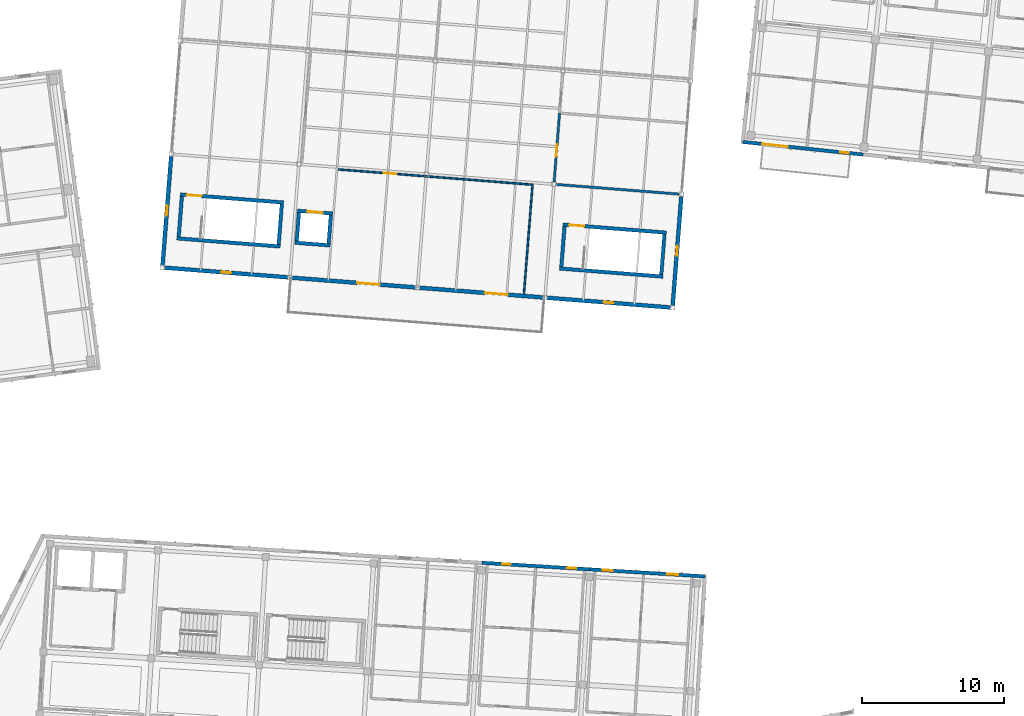
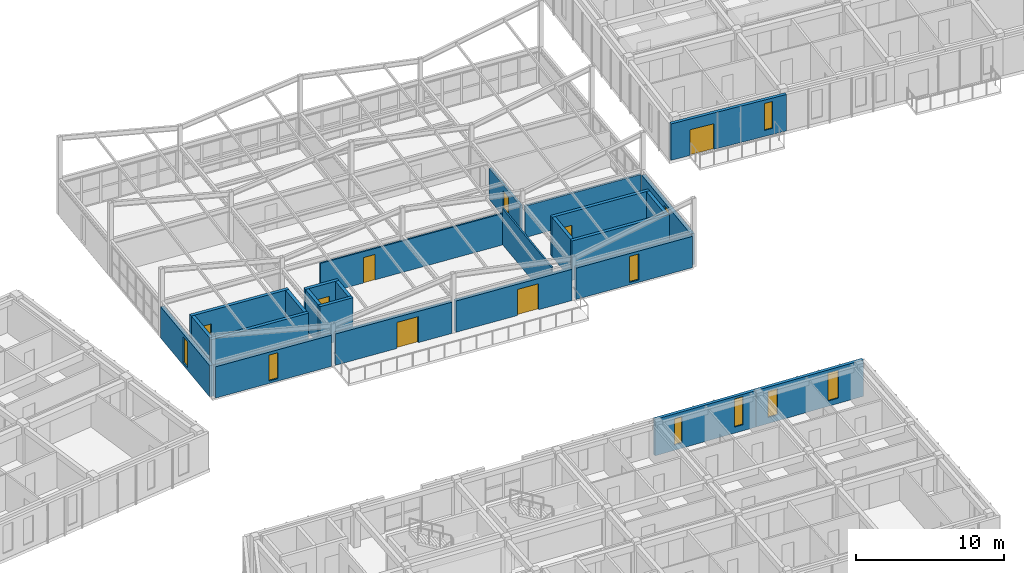
# One storey, part 84 of 127: 25 walls, 9 windows, 8 doors, 17 openings.
"""IFC4 building model written with IfcOpenShell, lengths in metres."""

from ifc_helpers import new_model, si_unit, direction, frame, frame_2d, origin, place, context, subcontext, project, spatial, rectangle, extrude, material, layer, layer_set, type_object, element, fill, save


model = new_model("IFC4")

# Units and contexts
model_context = context("Model", 3, precision=1e-05, world=origin(), true_north=direction((0.0, 1.0)))
body_context = subcontext(model_context, "Body", "Model", "MODEL_VIEW")
ifc_project = project(units=[si_unit("LENGTHUNIT", "METRE"), si_unit("AREAUNIT", "SQUARE_METRE"), si_unit("VOLUMEUNIT", "CUBIC_METRE"), si_unit("PLANEANGLEUNIT", "RADIAN"), si_unit("MASSUNIT", "GRAM", prefix="KILO")], contexts=[model_context])

# Site, building, storey
site_placement = place(None, origin())
site = spatial("IfcSite", under=ifc_project, at=site_placement, CompositionType="ELEMENT")
building_placement = place(site_placement, origin())
building = spatial("IfcBuilding", under=site, at=building_placement, Name="Kestramere Prow Commons", CompositionType="ELEMENT")
storey_placement = place(building_placement, frame((0.0, 0.0, 8.39990234375)))
storey = spatial("IfcBuildingStorey", under=building, at=storey_placement, Name="L02", CompositionType="ELEMENT", Elevation=8.39990234375)

# Wall, opening, window
ifc_material_1 = material(Name="Precast concrete C40/50", Category="concrete")
ifc_layer_1 = layer(ifc_material_1, 0.280029296875)
ifc_layer_set_1 = layer_set([ifc_layer_1], Name="Precast concrete C40/50")
wall_type_1 = type_object("IfcWallType", Name="EW-CIVIC-280", PredefinedType="SOLIDWALL", material=ifc_layer_set_1)
wall_1_placement = place(storey_placement, frame((77.422607421875, 84.8056640625, 0.0), z_axis=(0.0, 0.0, 1.0), x_axis=(-0.996917066238, 0.078462494502, 0.0)))
wall_1 = element("IfcWall", 1, at=wall_1_placement, inside=storey, type_object=wall_type_1, Name="Nursery L02 South Wall 1", PredefinedType="SOLIDWALL", context=body_context, shape_type="SweptSolid", body=[
    extrude(rectangle(XDim=8.699951171875, YDim=0.280029296875, at=frame_2d((4.35009765625, 0.0))), origin(), (0.0, 0.0, 1.0), 2.580078125),
])
opening_1_placement = place(wall_1_placement, frame((4.0, 0.0, 0.199951171875)))
opening_1 = element("IfcOpeningElement", 2, at=opening_1_placement, cuts=wall_1, Name="Opening WN-16", PredefinedType="OPENING", context=body_context, shape_type="SweptSolid", body=[
    extrude(rectangle(XDim=0.699951171875, YDim=2.139892578125, at=frame_2d((0.35009765625, 1.06982421875))), frame((0.0, 0.155029296875, 0.0), z_axis=(0.0, -1.0, 0.0), x_axis=(1.0, 0.0, 0.0)), (0.0, 0.0, 1.0), 0.31005859375),
])
ifc_material_2 = material(Name="Low-E Laminated Double Glazing", Category="glass")
window_type_1 = type_object("IfcWindowType", Name="WN-CIV-700", PartitioningType="SINGLE_PANEL", PredefinedType="WINDOW", material=ifc_material_2)
window_1_placement = place(opening_1_placement, origin())
window_1 = element("IfcWindow", 3, at=window_1_placement, inside=storey, type_object=window_type_1, Name="WN-NR-L02-S-0", OverallHeight=2.139892578125, OverallWidth=0.699951171875, PartitioningType="SINGLE_PANEL", PredefinedType="WINDOW", context=body_context, shape_type="SweptSolid", body=[
    extrude(rectangle(XDim=0.699951171875, YDim=2.139892578125, at=frame_2d((0.35009765625, 1.06982421875))), frame((0.0, 0.030029296875, 0.0), z_axis=(0.0, -1.0, 0.0), x_axis=(1.0, 0.0, 0.0)), (0.0, 0.0, 1.0), 0.06005859375),
])
fill(opening_1, window_1)

# Wall, opening, door
wall_2_placement = place(storey_placement, frame((86.39501953125, 84.099609375, 0.0), z_axis=(0.0, 0.0, 1.0), x_axis=(-0.996919433544, 0.078432410537, 0.0)))
wall_2 = element("IfcWall", 4, at=wall_2_placement, inside=storey, type_object=wall_type_1, Name="Nursery L02 South Wall 2", PredefinedType="SOLIDWALL", context=body_context, shape_type="SweptSolid", body=[
    extrude(rectangle(XDim=8.7001953125, YDim=0.280029296875, at=frame_2d((4.35009765625, 0.0))), origin(), (0.0, 0.0, 1.0), 2.580078125),
])
opening_2_placement = place(wall_2_placement, frame((2.5, 0.0, 0.0)))
opening_2 = element("IfcOpeningElement", 5, at=opening_2_placement, cuts=wall_2, Name="Opening GD-TER-01", PredefinedType="OPENING", context=body_context, shape_type="SweptSolid", body=[
    extrude(rectangle(XDim=1.60009765625, YDim=2.14990234375, at=frame_2d((0.800048828125, 1.074951171875))), frame((0.0, 0.155029296875, 0.0), z_axis=(0.0, -1.0, 0.0), x_axis=(1.0, 0.0, 0.0)), (0.0, 0.0, 1.0), 0.31005859375),
])
ifc_material_3 = material(Name="Thermally-Broken Anodised Aluminium Glazed", Category="aluminium")
door_type_1 = type_object("IfcDoorType", Name="GD-TERR-1600", OperationType="DOUBLE_DOOR_SINGLE_SWING", PredefinedType="DOOR", material=ifc_material_3)
door_1_placement = place(opening_2_placement, origin())
door_1 = element("IfcDoor", 6, at=door_1_placement, inside=storey, type_object=door_type_1, Name="Nursery Play Terrace Door 1", OperationType="DOUBLE_DOOR_SINGLE_SWING", OverallHeight=2.14990234375, OverallWidth=1.60009765625, PredefinedType="DOOR", context=body_context, shape_type="SweptSolid", body=[
    extrude(rectangle(XDim=1.60009765625, YDim=2.14990234375, at=frame_2d((0.800048828125, 1.074951171875))), frame((0.0, 0.02490234375, 0.0), z_axis=(0.0, -1.0, 0.0), x_axis=(1.0, 0.0, 0.0)), (0.0, 0.0, 1.0), 0.050048828125),
])
fill(opening_2, door_1)

wall_3_placement = place(storey_placement, frame((95.3671875, 83.393310546875, 0.0), z_axis=(0.0, 0.0, 1.0), x_axis=(-0.996917066238, 0.078462494502, 0.0)))
wall_3 = element("IfcWall", 7, at=wall_3_placement, inside=storey, type_object=wall_type_1, Name="Nursery L02 South Wall 3", PredefinedType="SOLIDWALL", context=body_context, shape_type="SweptSolid", body=[
    extrude(rectangle(XDim=8.699951171875, YDim=0.280029296875, at=frame_2d((4.35009765625, 0.0))), origin(), (0.0, 0.0, 1.0), 2.580078125),
])
opening_3_placement = place(wall_3_placement, frame((2.5, 0.0, 0.0)))
opening_3 = element("IfcOpeningElement", 8, at=opening_3_placement, cuts=wall_3, Name="Opening GD-TER-01", PredefinedType="OPENING", context=body_context, shape_type="SweptSolid", body=[
    extrude(rectangle(XDim=1.60009765625, YDim=2.14990234375, at=frame_2d((0.800048828125, 1.074951171875))), frame((0.0, 0.155029296875, 0.0), z_axis=(0.0, -1.0, 0.0), x_axis=(1.0, 0.0, 0.0)), (0.0, 0.0, 1.0), 0.31005859375),
])
door_2_placement = place(opening_3_placement, origin())
door_2 = element("IfcDoor", 9, at=door_2_placement, inside=storey, type_object=door_type_1, Name="Nursery Play Terrace Door 2", OperationType="DOUBLE_DOOR_SINGLE_SWING", OverallHeight=2.14990234375, OverallWidth=1.60009765625, PredefinedType="DOOR", context=body_context, shape_type="SweptSolid", body=[
    extrude(rectangle(XDim=1.60009765625, YDim=2.14990234375, at=frame_2d((0.800048828125, 1.074951171875))), frame((0.0, 0.02490234375, 0.0), z_axis=(0.0, -1.0, 0.0), x_axis=(1.0, 0.0, 0.0)), (0.0, 0.0, 1.0), 0.050048828125),
])
fill(opening_3, door_2)

# Wall, opening, window
wall_4_placement = place(storey_placement, frame((104.339599609375, 82.687255859375, 0.0), z_axis=(0.0, 0.0, 1.0), x_axis=(-0.996917238993, 0.078460299505, 0.0)))
wall_4 = element("IfcWall", 10, at=wall_4_placement, inside=storey, type_object=wall_type_1, Name="Nursery L02 South Wall 4", PredefinedType="SOLIDWALL", context=body_context, shape_type="SweptSolid", body=[
    extrude(rectangle(XDim=8.7001953125, YDim=0.280029296875, at=frame_2d((4.35009765625, 0.0))), origin(), (0.0, 0.0, 1.0), 2.580078125),
])
opening_4_placement = place(wall_4_placement, frame((4.0, 0.0, 0.199951171875)))
opening_4 = element("IfcOpeningElement", 11, at=opening_4_placement, cuts=wall_4, Name="Opening WN-16", PredefinedType="OPENING", context=body_context, shape_type="SweptSolid", body=[
    extrude(rectangle(XDim=0.699951171875, YDim=2.139892578125, at=frame_2d((0.35009765625, 1.06982421875))), frame((0.0, 0.155029296875, 0.0), z_axis=(0.0, -1.0, 0.0), x_axis=(1.0, 0.0, 0.0)), (0.0, 0.0, 1.0), 0.31005859375),
])
window_2_placement = place(opening_4_placement, origin())
window_2 = element("IfcWindow", 12, at=window_2_placement, inside=storey, type_object=window_type_1, Name="WN-NR-L02-S-3", OverallHeight=2.139892578125, OverallWidth=0.699951171875, PartitioningType="SINGLE_PANEL", PredefinedType="WINDOW", context=body_context, shape_type="SweptSolid", body=[
    extrude(rectangle(XDim=0.699951171875, YDim=2.139892578125, at=frame_2d((0.35009765625, 1.06982421875))), frame((0.0, 0.030029296875, 0.0), z_axis=(0.0, -1.0, 0.0), x_axis=(1.0, 0.0, 0.0)), (0.0, 0.0, 1.0), 0.06005859375),
])
fill(opening_4, window_2)

wall_5_placement = place(storey_placement, frame((68.61181640625, 85.649658203125, 0.0), z_axis=(0.0, 0.0, 1.0), x_axis=(0.078444588533, 0.996918475368, 0.0)))
wall_5 = element("IfcWall", 13, at=wall_5_placement, inside=storey, type_object=wall_type_1, Name="Nursery L02 W Wall 1", PredefinedType="SOLIDWALL", context=body_context, shape_type="SweptSolid", body=[
    extrude(rectangle(XDim=7.69970703125, YDim=0.280029296875, at=frame_2d((3.849853515625, 0.0))), origin(), (0.0, 0.0, 1.0), 2.580078125),
])
opening_5_placement = place(wall_5_placement, frame((3.5, 0.0, 0.199951171875)))
opening_5 = element("IfcOpeningElement", 14, at=opening_5_placement, cuts=wall_5, Name="Opening WN-16", PredefinedType="OPENING", context=body_context, shape_type="SweptSolid", body=[
    extrude(rectangle(XDim=0.699951171875, YDim=2.139892578125, at=frame_2d((0.35009765625, 1.06982421875))), frame((0.0, 0.155029296875, 0.0), z_axis=(0.0, -1.0, 0.0), x_axis=(1.0, 0.0, 0.0)), (0.0, 0.0, 1.0), 0.31005859375),
])
window_3_placement = place(opening_5_placement, origin())
window_3 = element("IfcWindow", 15, at=window_3_placement, inside=storey, type_object=window_type_1, Name="WN-NR-L02-W-0", OverallHeight=2.139892578125, OverallWidth=0.699951171875, PartitioningType="SINGLE_PANEL", PredefinedType="WINDOW", context=body_context, shape_type="SweptSolid", body=[
    extrude(rectangle(XDim=0.699951171875, YDim=2.139892578125, at=frame_2d((0.35009765625, 1.06982421875))), frame((0.0, 0.030029296875, 0.0), z_axis=(0.0, -1.0, 0.0), x_axis=(1.0, 0.0, 0.0)), (0.0, 0.0, 1.0), 0.06005859375),
])
fill(opening_5, window_3)

wall_6_placement = place(storey_placement, frame((105.10498046875, 90.501220703125, 0.0), z_axis=(0.0, 0.0, 1.0), x_axis=(-0.078473620365, -0.996916190513, 0.0)))
wall_6 = element("IfcWall", 16, at=wall_6_placement, inside=storey, type_object=wall_type_1, Name="Nursery L02 E Wall 1", PredefinedType="SOLIDWALL", context=body_context, shape_type="SweptSolid", body=[
    extrude(rectangle(XDim=7.699951171875, YDim=0.280029296875, at=frame_2d((3.85009765625, 0.0))), origin(), (0.0, 0.0, 1.0), 2.580078125),
])
opening_6_placement = place(wall_6_placement, frame((3.5, 0.0, 0.199951171875)))
opening_6 = element("IfcOpeningElement", 17, at=opening_6_placement, cuts=wall_6, Name="Opening WN-16", PredefinedType="OPENING", context=body_context, shape_type="SweptSolid", body=[
    extrude(rectangle(XDim=0.699951171875, YDim=2.139892578125, at=frame_2d((0.35009765625, 1.06982421875))), frame((0.0, 0.155029296875, 0.0), z_axis=(0.0, -1.0, 0.0), x_axis=(1.0, 0.0, 0.0)), (0.0, 0.0, 1.0), 0.31005859375),
])
window_4_placement = place(opening_6_placement, origin())
window_4 = element("IfcWindow", 18, at=window_4_placement, inside=storey, type_object=window_type_1, Name="WN-NR-L02-E-0", OverallHeight=2.139892578125, OverallWidth=0.699951171875, PartitioningType="SINGLE_PANEL", PredefinedType="WINDOW", context=body_context, shape_type="SweptSolid", body=[
    extrude(rectangle(XDim=0.699951171875, YDim=2.139892578125, at=frame_2d((0.35009765625, 1.06982421875))), frame((0.0, 0.030029296875, 0.0), z_axis=(0.0, -1.0, 0.0), x_axis=(1.0, 0.0, 0.0)), (0.0, 0.0, 1.0), 0.06005859375),
])
fill(opening_6, window_4)

# Wall, openings, door, window
ifc_material_4 = material(Name="Fluoropolymer Standing-Seam Zinc-Aluminium Cladding", Category="aluminium")
ifc_layer_2 = layer(ifc_material_4, 0.239990234375)
ifc_layer_set_2 = layer_set([ifc_layer_2], Name="Fluoropolymer Standing-Seam Zinc-Aluminium Cladding")
wall_type_2 = type_object("IfcWallType", Name="EW-SEAM-240", PredefinedType="SOLIDWALL", material=ifc_layer_set_2)
wall_7_placement = place(storey_placement, frame((117.9013671875, 93.441650390625, 0.0), z_axis=(0.0, 0.0, 1.0), x_axis=(-0.994521760736, 0.104529744196, 0.0)))
wall_7 = element("IfcWall", 19, at=wall_7_placement, inside=storey, type_object=wall_type_2, Name="Block B L02 South Standing-Seam Wall 1", PredefinedType="SOLIDWALL", context=body_context, shape_type="SweptSolid", body=[
    extrude(rectangle(XDim=8.52490234375, YDim=0.239990234375, at=frame_2d((4.262451171875, 0.0))), origin(), (0.0, 0.0, 1.0), 3.0),
])
opening_7_placement = place(wall_7_placement, frame((5.344970703125, 0.0, 0.0)))
opening_7 = element("IfcOpeningElement", 20, at=opening_7_placement, cuts=wall_7, Name="Opening GD-BAL-02", PredefinedType="OPENING", context=body_context, shape_type="SweptSolid", body=[
    extrude(rectangle(XDim=1.800048828125, YDim=2.1201171875, at=frame_2d((0.89990234375, 1.06005859375))), frame((0.0, 0.135009765625, 0.0), z_axis=(0.0, -1.0, 0.0), x_axis=(1.0, 0.0, 0.0)), (0.0, 0.0, 1.0), 0.27001953125),
])
opening_8_placement = place(wall_7_placement, frame((1.030029296875, 0.0, 0.5)))
opening_8 = element("IfcOpeningElement", 21, at=opening_8_placement, cuts=wall_7, Name="Opening WN-02", PredefinedType="OPENING", context=body_context, shape_type="SweptSolid", body=[
    extrude(rectangle(XDim=0.60009765625, YDim=2.219970703125, at=frame_2d((0.300048828125, 1.10986328125))), frame((0.0, 0.135009765625, 0.0), z_axis=(0.0, -1.0, 0.0), x_axis=(1.0, 0.0, 0.0)), (0.0, 0.0, 1.0), 0.27001953125),
])
door_type_2 = type_object("IfcDoorType", Name="GD-BAL-1800", OperationType="SLIDING_TO_LEFT", PredefinedType="DOOR", material=ifc_material_3)
door_3_placement = place(opening_7_placement, origin())
door_3 = element("IfcDoor", 22, at=door_3_placement, inside=storey, type_object=door_type_2, Name="Block B L02 Balcony Door 1", OperationType="SLIDING_TO_LEFT", OverallHeight=2.1201171875, OverallWidth=1.800048828125, PredefinedType="DOOR", context=body_context, shape_type="SweptSolid", body=[
    extrude(rectangle(XDim=1.800048828125, YDim=2.1201171875, at=frame_2d((0.89990234375, 1.06005859375))), frame((0.0, 0.02490234375, 0.0), z_axis=(0.0, -1.0, 0.0), x_axis=(1.0, 0.0, 0.0)), (0.0, 0.0, 1.0), 0.050048828125),
])
fill(opening_7, door_3)
window_type_2 = type_object("IfcWindowType", Name="WN-NAR-600A", PartitioningType="SINGLE_PANEL", PredefinedType="WINDOW", material=ifc_material_2)
window_5_placement = place(opening_8_placement, origin())
window_5 = element("IfcWindow", 23, at=window_5_placement, inside=storey, type_object=window_type_2, Name="WN-B-L02-SR-0", OverallHeight=2.219970703125, OverallWidth=0.60009765625, PartitioningType="SINGLE_PANEL", PredefinedType="WINDOW", context=body_context, shape_type="SweptSolid", body=[
    extrude(rectangle(XDim=0.60009765625, YDim=2.219970703125, at=frame_2d((0.300048828125, 1.10986328125))), frame((0.0, 0.030029296875, 0.0), z_axis=(0.0, -1.0, 0.0), x_axis=(1.0, 0.0, 0.0)), (0.0, 0.0, 1.0), 0.06005859375),
])
fill(opening_8, window_5)

# Wall, openings, windows
wall_8_placement = place(storey_placement, frame((91.072021484375, 64.731689453125, 0.0), z_axis=(0.0, 0.0, 1.0), x_axis=(0.998133591969, -0.061068261669, 0.0)))
wall_8 = element("IfcWall", 24, at=wall_8_placement, inside=storey, type_object=wall_type_2, Name="Block C L02 North Standing-Seam Wall 5", PredefinedType="SOLIDWALL", context=body_context, shape_type="SweptSolid", body=[
    extrude(rectangle(XDim=7.599853515625, YDim=0.239990234375, at=frame_2d((3.7998046875, 0.0))), origin(), (0.0, 0.0, 1.0), 3.0),
])
opening_9_placement = place(wall_8_placement, frame((1.4541015625, 0.0, 0.43994140625)))
opening_9 = element("IfcOpeningElement", 25, at=opening_9_placement, cuts=wall_8, Name="Opening WN-01", PredefinedType="OPENING", context=body_context, shape_type="SweptSolid", body=[
    extrude(rectangle(XDim=0.580078125, YDim=2.159912109375, at=frame_2d((0.2900390625, 1.080078125))), frame((0.0, 0.135009765625, 0.0), z_axis=(0.0, -1.0, 0.0), x_axis=(1.0, 0.0, 0.0)), (0.0, 0.0, 1.0), 0.27001953125),
])
opening_10_placement = place(wall_8_placement, frame((5.981689453125, 0.0, 0.5)))
opening_10 = element("IfcOpeningElement", 26, at=opening_10_placement, cuts=wall_8, Name="Opening WN-05", PredefinedType="OPENING", context=body_context, shape_type="SweptSolid", body=[
    extrude(rectangle(XDim=0.659912109375, YDim=2.320068359375, at=frame_2d((0.330078125, 1.16015625))), frame((0.0, 0.135009765625, 0.0), z_axis=(0.0, -1.0, 0.0), x_axis=(1.0, 0.0, 0.0)), (0.0, 0.0, 1.0), 0.27001953125),
])
window_type_3 = type_object("IfcWindowType", Name="WN-NAR-580A", PartitioningType="SINGLE_PANEL", PredefinedType="WINDOW", material=ifc_material_2)
window_6_placement = place(opening_9_placement, origin())
window_6 = element("IfcWindow", 27, at=window_6_placement, inside=storey, type_object=window_type_3, Name="WN-C-L02-N-4-0", OverallHeight=2.159912109375, OverallWidth=0.580078125, PartitioningType="SINGLE_PANEL", PredefinedType="WINDOW", context=body_context, shape_type="SweptSolid", body=[
    extrude(rectangle(XDim=0.580078125, YDim=2.159912109375, at=frame_2d((0.2900390625, 1.080078125))), frame((0.0, 0.030029296875, 0.0), z_axis=(0.0, -1.0, 0.0), x_axis=(1.0, 0.0, 0.0)), (0.0, 0.0, 1.0), 0.06005859375),
])
fill(opening_9, window_6)
window_type_4 = type_object("IfcWindowType", Name="WN-NAR-660A", PartitioningType="SINGLE_PANEL", PredefinedType="WINDOW", material=ifc_material_2)
window_7_placement = place(opening_10_placement, origin())
window_7 = element("IfcWindow", 28, at=window_7_placement, inside=storey, type_object=window_type_4, Name="WN-C-L02-N-4-1", OverallHeight=2.320068359375, OverallWidth=0.659912109375, PartitioningType="SINGLE_PANEL", PredefinedType="WINDOW", context=body_context, shape_type="SweptSolid", body=[
    extrude(rectangle(XDim=0.659912109375, YDim=2.320068359375, at=frame_2d((0.330078125, 1.16015625))), frame((0.0, 0.030029296875, 0.0), z_axis=(0.0, -1.0, 0.0), x_axis=(1.0, 0.0, 0.0)), (0.0, 0.0, 1.0), 0.06005859375),
])
fill(opening_10, window_7)

wall_9_placement = place(storey_placement, frame((98.65771484375, 64.267578125, 0.0), z_axis=(0.0, 0.0, 1.0), x_axis=(0.998134248939, -0.061057522844, 0.0)))
wall_9 = element("IfcWall", 29, at=wall_9_placement, inside=storey, type_object=wall_type_2, Name="Block C L02 North Standing-Seam Wall 6", PredefinedType="SOLIDWALL", context=body_context, shape_type="SweptSolid", body=[
    extrude(rectangle(XDim=8.125, YDim=0.239990234375, at=frame_2d((4.0625, 0.0))), origin(), (0.0, 0.0, 1.0), 3.0),
])
opening_11_placement = place(wall_9_placement, frame((0.91357421875, 0.0, 0.5)))
opening_11 = element("IfcOpeningElement", 30, at=opening_11_placement, cuts=wall_9, Name="Opening WN-08", PredefinedType="OPENING", context=body_context, shape_type="SweptSolid", body=[
    extrude(rectangle(XDim=0.719970703125, YDim=2.159912109375, at=frame_2d((0.35986328125, 1.080078125))), frame((0.0, 0.135009765625, 0.0), z_axis=(0.0, -1.0, 0.0), x_axis=(1.0, 0.0, 0.0)), (0.0, 0.0, 1.0), 0.27001953125),
])
opening_12_placement = place(wall_9_placement, frame((5.4560546875, 0.0, 0.43994140625)))
opening_12 = element("IfcOpeningElement", 31, at=opening_12_placement, cuts=wall_9, Name="Opening WN-12", PredefinedType="OPENING", context=body_context, shape_type="SweptSolid", body=[
    extrude(rectangle(XDim=0.800048828125, YDim=2.300048828125, at=frame_2d((0.39990234375, 1.14990234375))), frame((0.0, 0.135009765625, 0.0), z_axis=(0.0, -1.0, 0.0), x_axis=(1.0, 0.0, 0.0)), (0.0, 0.0, 1.0), 0.27001953125),
])
window_type_5 = type_object("IfcWindowType", Name="WN-NAR-720A", PartitioningType="SINGLE_PANEL", PredefinedType="WINDOW", material=ifc_material_2)
window_8_placement = place(opening_11_placement, origin())
window_8 = element("IfcWindow", 32, at=window_8_placement, inside=storey, type_object=window_type_5, Name="WN-C-L02-N-5-0", OverallHeight=2.159912109375, OverallWidth=0.719970703125, PartitioningType="SINGLE_PANEL", PredefinedType="WINDOW", context=body_context, shape_type="SweptSolid", body=[
    extrude(rectangle(XDim=0.719970703125, YDim=2.159912109375, at=frame_2d((0.35986328125, 1.080078125))), frame((0.0, 0.030029296875, 0.0), z_axis=(0.0, -1.0, 0.0), x_axis=(1.0, 0.0, 0.0)), (0.0, 0.0, 1.0), 0.06005859375),
])
fill(opening_11, window_8)
window_type_6 = type_object("IfcWindowType", Name="WN-NAR-800A", PartitioningType="SINGLE_PANEL", PredefinedType="WINDOW", material=ifc_material_2)
window_9_placement = place(opening_12_placement, origin())
window_9 = element("IfcWindow", 33, at=window_9_placement, inside=storey, type_object=window_type_6, Name="WN-C-L02-N-5-1", OverallHeight=2.300048828125, OverallWidth=0.800048828125, PartitioningType="SINGLE_PANEL", PredefinedType="WINDOW", context=body_context, shape_type="SweptSolid", body=[
    extrude(rectangle(XDim=0.800048828125, YDim=2.300048828125, at=frame_2d((0.39990234375, 1.14990234375))), frame((0.0, 0.030029296875, 0.0), z_axis=(0.0, -1.0, 0.0), x_axis=(1.0, 0.0, 0.0)), (0.0, 0.0, 1.0), 0.06005859375),
])
fill(opening_12, window_9)

# Wall, opening, door
ifc_material_5 = material(Name="Concrete C40/50", Category="concrete")
ifc_layer_3 = layer(ifc_material_5, 0.25)
ifc_layer_set_3 = layer_set([ifc_layer_3], Name="Concrete C40/50")
wall_type_3 = type_object("IfcWallType", Name="W-CORE-250", PredefinedType="SHEAR", material=ifc_layer_set_3)
wall_10_placement = place(storey_placement, frame((69.857421875, 90.64208984375, 0.0), z_axis=(0.0, 0.0, 1.0), x_axis=(0.996917178022, -0.078461074196, 0.0)))
wall_10 = element("IfcWall", 34, at=wall_10_placement, inside=storey, type_object=wall_type_3, Name="SW-ST-N1-L02-N", PredefinedType="SHEAR", context=body_context, shape_type="SweptSolid", body=[
    extrude(rectangle(XDim=7.2998046875, YDim=0.25, at=frame_2d((3.64990234375, 0.0))), origin(), (0.0, 0.0, 1.0), 3.25),
])
opening_13_placement = place(wall_10_placement, frame((0.449951171875, 0.0, 0.0)))
opening_13 = element("IfcOpeningElement", 35, at=opening_13_placement, cuts=wall_10, Name="Opening ID-01", PredefinedType="OPENING", context=body_context, shape_type="SweptSolid", body=[
    extrude(rectangle(XDim=1.050048828125, YDim=2.14990234375, at=frame_2d((0.52490234375, 1.074951171875))), frame((0.0, 0.139892578125, 0.0), z_axis=(0.0, -1.0, 0.0), x_axis=(1.0, 0.0, 0.0)), (0.0, 0.0, 1.0), 0.280029296875),
])
ifc_material_6 = material(Name="Fire-Rated Timber and Steel Frame", Category="steel")
door_type_3 = type_object("IfcDoorType", Name="FD-ST-01", OperationType="NOTDEFINED", PredefinedType="DOOR", material=ifc_material_6)
door_4_placement = place(opening_13_placement, origin())
door_4 = element("IfcDoor", 36, at=door_4_placement, inside=storey, type_object=door_type_3, Name="ST-N1 L02 Protected Stair Door", OperationType="SINGLE_SWING_LEFT", OverallHeight=2.14990234375, OverallWidth=1.050048828125, PredefinedType="DOOR", context=body_context, shape_type="SweptSolid", body=[
    extrude(rectangle(XDim=1.050048828125, YDim=2.14990234375, at=frame_2d((0.52490234375, 1.074951171875))), frame((0.0, 0.02490234375, 0.0), z_axis=(0.0, -1.0, 0.0), x_axis=(1.0, 0.0, 0.0)), (0.0, 0.0, 1.0), 0.050048828125),
])
fill(opening_13, door_4)

# Walls
wall_11_placement = place(storey_placement, frame((69.614013671875, 87.5517578125, 0.0), z_axis=(0.0, 0.0, 1.0), x_axis=(0.996917383902, -0.078458458272, 0.0)))
element("IfcWall", 37, at=wall_11_placement, inside=storey, type_object=wall_type_3, Name="SW-ST-N1-L02-S", PredefinedType="SHEAR", context=body_context, shape_type="SweptSolid", body=[
    extrude(rectangle(XDim=7.300048828125, YDim=0.25, at=frame_2d((3.64990234375, 0.0))), origin(), (0.0, 0.0, 1.0), 3.25),
])
wall_12_placement = place(storey_placement, frame((69.74853515625, 87.66650390625, 0.0), z_axis=(0.0, 0.0, 1.0), x_axis=(0.078465015546, 0.996916867816, 0.0)))
element("IfcWall", 38, at=wall_12_placement, inside=storey, type_object=wall_type_3, Name="SW-ST-N1-L02-W", PredefinedType="SHEAR", context=body_context, shape_type="SweptSolid", body=[
    extrude(rectangle(XDim=2.85009765625, YDim=0.25, at=frame_2d((1.425048828125, 0.0))), origin(), (0.0, 0.0, 1.0), 3.25),
])
wall_13_placement = place(storey_placement, frame((76.77685546875, 87.113525390625, 0.0), z_axis=(0.0, 0.0, 1.0), x_axis=(0.078471716745, 0.996916340357, 0.0)))
element("IfcWall", 39, at=wall_13_placement, inside=storey, type_object=wall_type_3, Name="SW-ST-N1-L02-E", PredefinedType="SHEAR", context=body_context, shape_type="SweptSolid", body=[
    extrude(rectangle(XDim=2.849853515625, YDim=0.25, at=frame_2d((1.4248046875, 0.0))), origin(), (0.0, 0.0, 1.0), 3.25),
])

# Wall, opening, door
wall_14_placement = place(storey_placement, frame((96.774169921875, 88.52392578125, 0.0), z_axis=(0.0, 0.0, 1.0), x_axis=(0.996917178022, -0.078461074196, 0.0)))
wall_14 = element("IfcWall", 40, at=wall_14_placement, inside=storey, type_object=wall_type_3, Name="SW-ST-N2-L02-N", PredefinedType="SHEAR", context=body_context, shape_type="SweptSolid", body=[
    extrude(rectangle(XDim=7.2998046875, YDim=0.25, at=frame_2d((3.64990234375, 0.0))), origin(), (0.0, 0.0, 1.0), 3.25),
])
opening_14_placement = place(wall_14_placement, frame((0.449951171875, 0.0, 0.0)))
opening_14 = element("IfcOpeningElement", 41, at=opening_14_placement, cuts=wall_14, Name="Opening ID-01", PredefinedType="OPENING", context=body_context, shape_type="SweptSolid", body=[
    extrude(rectangle(XDim=1.050048828125, YDim=2.14990234375, at=frame_2d((0.52490234375, 1.074951171875))), frame((0.0, 0.139892578125, 0.0), z_axis=(0.0, -1.0, 0.0), x_axis=(1.0, 0.0, 0.0)), (0.0, 0.0, 1.0), 0.280029296875),
])
door_5_placement = place(opening_14_placement, origin())
door_5 = element("IfcDoor", 42, at=door_5_placement, inside=storey, type_object=door_type_3, Name="ST-N2 L02 Protected Stair Door", OperationType="SINGLE_SWING_LEFT", OverallHeight=2.14990234375, OverallWidth=1.050048828125, PredefinedType="DOOR", context=body_context, shape_type="SweptSolid", body=[
    extrude(rectangle(XDim=1.050048828125, YDim=2.14990234375, at=frame_2d((0.52490234375, 1.074951171875))), frame((0.0, 0.02490234375, 0.0), z_axis=(0.0, -1.0, 0.0), x_axis=(1.0, 0.0, 0.0)), (0.0, 0.0, 1.0), 0.050048828125),
])
fill(opening_14, door_5)

# Walls
wall_15_placement = place(storey_placement, frame((96.53076171875, 85.433349609375, 0.0), z_axis=(0.0, 0.0, 1.0), x_axis=(0.996917383902, -0.078458458272, 0.0)))
element("IfcWall", 43, at=wall_15_placement, inside=storey, type_object=wall_type_3, Name="SW-ST-N2-L02-S", PredefinedType="SHEAR", context=body_context, shape_type="SweptSolid", body=[
    extrude(rectangle(XDim=7.300048828125, YDim=0.25, at=frame_2d((3.64990234375, 0.0))), origin(), (0.0, 0.0, 1.0), 3.25),
])
wall_16_placement = place(storey_placement, frame((96.665283203125, 85.548095703125, 0.0), z_axis=(0.0, 0.0, 1.0), x_axis=(0.078465015546, 0.996916867816, 0.0)))
element("IfcWall", 44, at=wall_16_placement, inside=storey, type_object=wall_type_3, Name="SW-ST-N2-L02-W", PredefinedType="SHEAR", context=body_context, shape_type="SweptSolid", body=[
    extrude(rectangle(XDim=2.85009765625, YDim=0.25, at=frame_2d((1.425048828125, 0.0))), origin(), (0.0, 0.0, 1.0), 3.25),
])
wall_17_placement = place(storey_placement, frame((103.693603515625, 84.9951171875, 0.0), z_axis=(0.0, 0.0, 1.0), x_axis=(0.078471716745, 0.996916340357, 0.0)))
element("IfcWall", 45, at=wall_17_placement, inside=storey, type_object=wall_type_3, Name="SW-ST-N2-L02-E", PredefinedType="SHEAR", context=body_context, shape_type="SweptSolid", body=[
    extrude(rectangle(XDim=2.849853515625, YDim=0.25, at=frame_2d((1.4248046875, 0.0))), origin(), (0.0, 0.0, 1.0), 3.25),
])

# Wall, opening, door
wall_18_placement = place(storey_placement, frame((78.092529296875, 89.492431640625, 0.0), z_axis=(0.0, 0.0, 1.0), x_axis=(0.996920289399, -0.078421531386, 0.0)))
wall_18 = element("IfcWall", 46, at=wall_18_placement, inside=storey, type_object=wall_type_3, Name="CW-PLN1-L02-N", PredefinedType="SHEAR", context=body_context, shape_type="SweptSolid", body=[
    extrude(rectangle(XDim=2.5, YDim=0.25, at=frame_2d((1.25, 0.0))), origin(), (0.0, 0.0, 1.0), 3.25),
])
opening_15_placement = place(wall_18_placement, frame((0.699951171875, 0.0, 0.0)))
opening_15 = element("IfcOpeningElement", 47, at=opening_15_placement, cuts=wall_18, Name="Opening LD-01", PredefinedType="OPENING", context=body_context, shape_type="SweptSolid", body=[
    extrude(rectangle(XDim=1.10009765625, YDim=2.14990234375, at=frame_2d((0.550048828125, 1.074951171875))), frame((0.0, 0.139892578125, 0.0), z_axis=(0.0, -1.0, 0.0), x_axis=(1.0, 0.0, 0.0)), (0.0, 0.0, 1.0), 0.280029296875),
])
ifc_material_7 = material(Name="Brushed Stainless Steel 304", Category="steel")
door_type_4 = type_object("IfcDoorType", Name="LD-01", OperationType="DOUBLE_DOOR_SLIDING", PredefinedType="DOOR", material=ifc_material_7)
door_6_placement = place(opening_15_placement, origin())
door_6 = element("IfcDoor", 48, at=door_6_placement, inside=storey, type_object=door_type_4, Name="PL-N1 L02 Lift Landing Door", OperationType="DOUBLE_DOOR_SLIDING", OverallHeight=2.14990234375, OverallWidth=1.10009765625, PredefinedType="DOOR", context=body_context, shape_type="SweptSolid", body=[
    extrude(rectangle(XDim=1.10009765625, YDim=2.14990234375, at=frame_2d((0.550048828125, 1.074951171875))), frame((0.0, 0.02490234375, 0.0), z_axis=(0.0, -1.0, 0.0), x_axis=(1.0, 0.0, 0.0)), (0.0, 0.0, 1.0), 0.050048828125),
])
fill(opening_15, door_6)

# Walls
wall_19_placement = place(storey_placement, frame((77.916015625, 87.24951171875, 0.0), z_axis=(0.0, 0.0, 1.0), x_axis=(0.996912649619, -0.07851859035, 0.0)))
element("IfcWall", 49, at=wall_19_placement, inside=storey, type_object=wall_type_3, Name="CW-PLN1-L02-S", PredefinedType="SHEAR", context=body_context, shape_type="SweptSolid", body=[
    extrude(rectangle(XDim=2.5, YDim=0.25, at=frame_2d((1.25, 0.0))), origin(), (0.0, 0.0, 1.0), 3.25),
])
for number, where, z_axis, x_axis, name in (
    (50, (78.05029296875, 87.3642578125, 0.0), (0.0, 0.0, 1.0), (0.07848859465, 0.996915011678, 0.0), "CW-PLN1-L02-W"),
    (51, (80.29345703125, 87.187744140625, 0.0), (0.0, 0.0, 1.0), (0.07848859465, 0.996915011678, 0.0), "CW-PLN1-L02-E"),
):
    element("IfcWall", number, at=place(storey_placement, frame(where, z_axis=z_axis, x_axis=x_axis)), inside=storey, type_object=wall_type_3, Name=name, PredefinedType="SHEAR", context=body_context, shape_type="SweptSolid", body=[
        extrude(rectangle(XDim=2.0, YDim=0.25, at=frame_2d((1.0, 0.0))), origin(), (0.0, 0.0, 1.0), 3.25),
    ])

# Wall, opening, door
ifc_material_8 = material(Name="Lightweight Blockwork and Plaster", Category="masonry")
ifc_layer_4 = layer(ifc_material_8, 0.1201171875)
ifc_layer_set_4 = layer_set([ifc_layer_4], Name="Lightweight Blockwork and Plaster")
wall_type_4 = type_object("IfcWallType", Name="W-PART-120", PredefinedType="PARTITIONING", material=ifc_layer_set_4)
wall_20_placement = place(storey_placement, frame((80.9794921875, 92.39990234375, 0.0), z_axis=(0.0, 0.0, 1.0), x_axis=(0.996918352409, -0.078446151144, 0.0)))
wall_20 = element("IfcWall", 52, at=wall_20_placement, inside=storey, type_object=wall_type_4, Name="Interior Partition PW-NR-L02-CS", PredefinedType="PARTITIONING", context=body_context, shape_type="SweptSolid", body=[
    extrude(rectangle(XDim=13.699951171875, YDim=0.1201171875, at=frame_2d((6.85009765625, 0.0))), origin(), (0.0, 0.0, 1.0), 2.59375),
])
opening_16_placement = place(wall_20_placement, frame((3.199951171875, 0.0, 0.0)))
opening_16 = element("IfcOpeningElement", 53, at=opening_16_placement, cuts=wall_20, Name="Opening ID-10", PredefinedType="OPENING", context=body_context, shape_type="SweptSolid", body=[
    extrude(rectangle(XDim=0.8798828125, YDim=2.10009765625, at=frame_2d((0.43994140625, 1.050048828125))), frame((0.0, 0.074951171875, 0.0), z_axis=(0.0, -1.0, 0.0), x_axis=(1.0, 0.0, 0.0)), (0.0, 0.0, 1.0), 0.150146484375),
])
ifc_material_9 = material(Name="Engineered Timber Bedroom Door", Category="wood")
door_type_5 = type_object("IfcDoorType", Name="D-RM-03", OperationType="NOTDEFINED", PredefinedType="DOOR", material=ifc_material_9)
door_7_placement = place(opening_16_placement, origin())
door_7 = element("IfcDoor", 54, at=door_7_placement, inside=storey, type_object=door_type_5, Name="Interior Door DR-NR-L02-S1", OperationType="SINGLE_SWING_LEFT", OverallHeight=2.10009765625, OverallWidth=0.8798828125, PredefinedType="DOOR", context=body_context, shape_type="SweptSolid", body=[
    extrude(rectangle(XDim=0.8798828125, YDim=2.10009765625, at=frame_2d((0.43994140625, 1.050048828125))), frame((0.0, 0.02490234375, 0.0), z_axis=(0.0, -1.0, 0.0), x_axis=(1.0, 0.0, 0.0)), (0.0, 0.0, 1.0), 0.050048828125),
])
fill(opening_16, door_7)

# Walls
wall_21_placement = place(storey_placement, frame((94.033203125, 83.64892578125, 0.0), z_axis=(0.0, 0.0, 1.0), x_axis=(0.078442108986, 0.996918670473, 0.0)))
element("IfcWall", 55, at=wall_21_placement, inside=storey, type_object=wall_type_4, Name="Interior Partition PW-NR-L02-ESTE", PredefinedType="PARTITIONING", context=body_context, shape_type="SweptSolid", body=[
    extrude(rectangle(XDim=7.699951171875, YDim=0.1201171875, at=frame_2d((3.85009765625, 0.0))), origin(), (0.0, 0.0, 1.0), 2.97998046875),
])
ifc_material_10 = material(Name="Waterproof Sanitary Masonry Wall", Category="masonry")
ifc_layer_5 = layer(ifc_material_10, 0.1650390625)
ifc_layer_set_5 = layer_set([ifc_layer_5], Name="Waterproof Sanitary Masonry Wall")
wall_type_5 = type_object("IfcWallType", Name="W-PLUMB-150", PredefinedType="PLUMBINGWALL", material=ifc_layer_set_5)
wall_22_placement = place(storey_placement, frame((96.303955078125, 91.344482421875, 0.0), z_axis=(0.0, 0.0, 1.0), x_axis=(0.9969162409, -0.078472980254, 0.0)))
element("IfcWall", 56, at=wall_22_placement, inside=storey, type_object=wall_type_5, Name="Interior Partition PW-NR-L02-WCS", PredefinedType="PLUMBINGWALL", context=body_context, shape_type="SweptSolid", body=[
    extrude(rectangle(XDim=8.68017578125, YDim=0.1650390625, at=frame_2d((4.340087890625, 0.0))), origin(), (0.0, 0.0, 1.0), 2.59375),
])

# Wall, opening, door
wall_23_placement = place(storey_placement, frame((96.156982421875, 91.516357421875, 0.0), z_axis=(0.0, 0.0, 1.0), x_axis=(0.078463385465, 0.996916996114, 0.0)))
wall_23 = element("IfcWall", 57, at=wall_23_placement, inside=storey, type_object=wall_type_5, Name="Interior Partition PW-NR-L02-CE1", PredefinedType="PLUMBINGWALL", context=body_context, shape_type="SweptSolid", body=[
    extrude(rectangle(XDim=4.860107421875, YDim=0.1650390625, at=frame_2d((2.43017578125, 0.0))), origin(), (0.0, 0.0, 1.0), 2.59375),
])
opening_17_placement = place(wall_23_placement, frame((1.800048828125, 0.0, 0.0)))
opening_17 = element("IfcOpeningElement", 58, at=opening_17_placement, cuts=wall_23, Name="Opening ID-12", PredefinedType="OPENING", context=body_context, shape_type="SweptSolid", body=[
    extrude(rectangle(XDim=0.860107421875, YDim=2.10009765625, at=frame_2d((0.43017578125, 1.050048828125))), frame((0.0, 0.097412109375, 0.0), z_axis=(0.0, -1.0, 0.0), x_axis=(1.0, 0.0, 0.0)), (0.0, 0.0, 1.0), 0.195068359375),
])
ifc_material_11 = material(Name="Moisture-Resistant Timber WC Door", Category="wood")
door_type_6 = type_object("IfcDoorType", Name="D-WC-01", OperationType="NOTDEFINED", PredefinedType="DOOR", material=ifc_material_11)
door_8_placement = place(opening_17_placement, origin())
door_8 = element("IfcDoor", 59, at=door_8_placement, inside=storey, type_object=door_type_6, Name="Interior Door DR-NR-L02-WC", OperationType="SINGLE_SWING_LEFT", OverallHeight=2.10009765625, OverallWidth=0.860107421875, PredefinedType="DOOR", context=body_context, shape_type="SweptSolid", body=[
    extrude(rectangle(XDim=0.860107421875, YDim=2.10009765625, at=frame_2d((0.43017578125, 1.050048828125))), frame((0.0, 0.02490234375, 0.0), z_axis=(0.0, -1.0, 0.0), x_axis=(1.0, 0.0, 0.0)), (0.0, 0.0, 1.0), 0.050048828125),
])
fill(opening_17, door_8)

save(model, "model.ifc")
